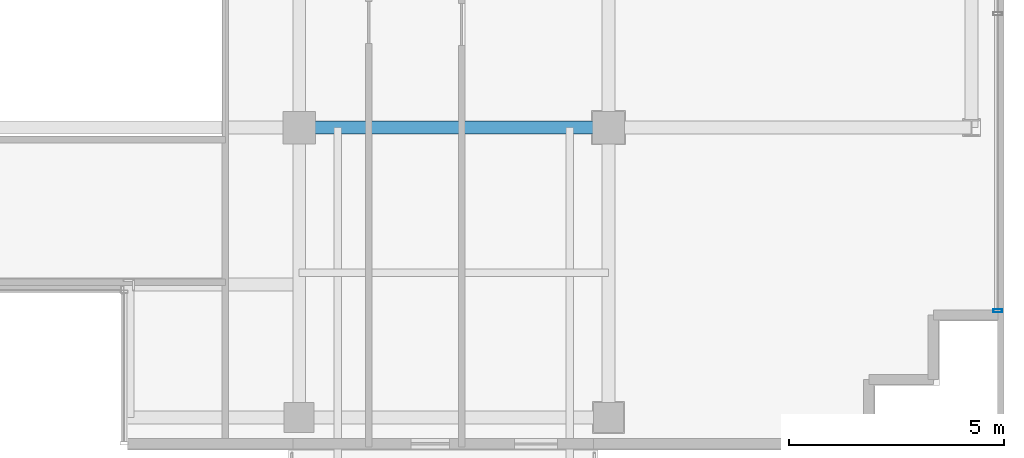
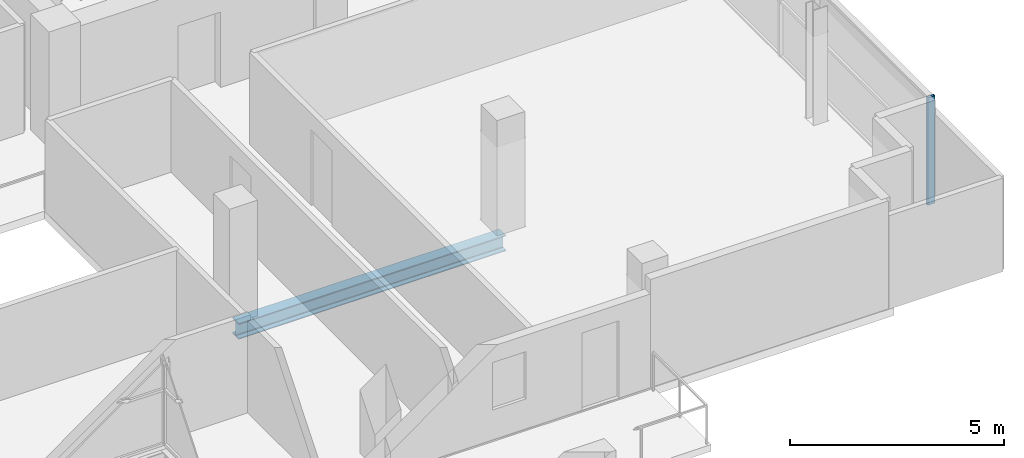
# One storey, part 7 of 24: 1 beam, 1 member, 1 element without a shape of its own.
"""IFC4 building model written with IfcOpenShell, lengths in metres."""

from ifc_helpers import new_model, si_unit, direction, frame, origin, origin_2d, place, context, subcontext, project, spatial, hollow_rectangle, i_section, extrude, source, transform, mapped, material, layer, layer_set, material_profile, profile_set, type_object, element, aggregate, save


model = new_model("IFC4")

# Units and contexts
model_context = context("Model", 3, precision=1e-05, world=origin(), true_north=direction((0.0, 1.0)))
body_context = subcontext(model_context, "Body", "Model", "MODEL_VIEW")
ifc_project = project(units=[si_unit("LENGTHUNIT", "METRE"), si_unit("AREAUNIT", "SQUARE_METRE"), si_unit("VOLUMEUNIT", "CUBIC_METRE"), si_unit("PLANEANGLEUNIT", "RADIAN"), si_unit("MASSUNIT", "GRAM", prefix="KILO")], contexts=[model_context])

# Site, building, storey
site_placement = place(None, origin())
site = spatial("IfcSite", under=ifc_project, at=site_placement, CompositionType="ELEMENT")
building_placement = place(site_placement, origin())
building = spatial("IfcBuilding", under=site, at=building_placement, Name="Zarnakvel Exchange Tower", CompositionType="ELEMENT")
storey_placement = place(building_placement, frame((0.0, 0.0, 235.300048828125)))
storey = spatial("IfcBuildingStorey", under=building, at=storey_placement, Name="L66", CompositionType="ELEMENT", Elevation=235.300048828125)

# Beam
ifc_material_1 = material(Name="Steel S355", Category="steel")
ifc_material_profile_1 = material_profile(ifc_material_1, i_section(OverallWidth=0.300048828125, OverallDepth=0.449951171875, WebThickness=0.013916015625, FlangeThickness=0.02587890625, FilletRadius=0.027099609375, at=origin_2d()))
ifc_profile_set_1 = profile_set([ifc_material_profile_1], Name="Steel S355")
beam_type = type_object("IfcBeamType", Name="G-07", PredefinedType="BEAM", material=ifc_profile_set_1)
beam_placement = place(storey_placement, frame((7.199951171875, -9.60009765625, -0.449951171875), z_axis=(1.0, 0.0, 0.0), x_axis=(0.0, 1.0, 0.0)))
element("IfcBeam", 1, at=beam_placement, inside=storey, type_object=beam_type, Name="L66 Tower E-W Frame Beam", PredefinedType="BEAM", context=body_context, shape_type="SweptSolid", body=[
    extrude(i_section(OverallWidth=0.300048828125, OverallDepth=0.449951171875, WebThickness=0.013916015625, FlangeThickness=0.02587890625, FilletRadius=0.027099609375, at=origin_2d()), origin(), (0.0, 0.0, 1.0), 7.199951171875),
])

# Curtain wall, member
ifc_material_2 = material(Name="Architectural Bronze Anodised Aluminium", Category="aluminium")
ifc_layer = layer(ifc_material_2, 0.199951171875)
ifc_layer_set = layer_set([ifc_layer], Name="Architectural Bronze Anodised Aluminium")
curtain_wall_type = type_object("IfcCurtainWallType", Name="CW-04", PredefinedType="NOTDEFINED", material=ifc_layer_set)
curtain_wall_placement = place(storey_placement, origin())
curtain_wall = element("IfcCurtainWall", 2, at=curtain_wall_placement, inside=storey, type_object=curtain_wall_type, Name="L66 Curtain Wall CW-L66-E1 (CW-04)", PredefinedType="NOTDEFINED")
ifc_material_profile_2 = material_profile(ifc_material_2, hollow_rectangle(XDim=0.199951171875, YDim=0.074951171875, WallThickness=0.0048828125, at=origin_2d()))
ifc_profile_set_2 = profile_set([ifc_material_profile_2], Name="Architectural Bronze Anodised Aluminium")
member_type = type_object("IfcMemberType", Name="CWM-04", PredefinedType="MULLION", material=ifc_profile_set_2)
shared_shape = source(origin(), body_context, "Body", "SweptSolid", [
    extrude(hollow_rectangle(XDim=0.199951171875, YDim=0.074951171875, WallThickness=0.0048828125, at=origin_2d()), origin(), (0.0, 0.0, 1.0), 3.054931640625),
])
member_placement = place(storey_placement, frame((23.4599609375, -13.862548828125, 0.0), z_axis=(0.0, 0.0, 1.0), x_axis=(-1.0, 0.0, 0.0)))
member = element("IfcMember", 3, at=member_placement, type_object=member_type, Name="CW-04 mullion 1", PredefinedType="MULLION", context=body_context, shape_type="MappedRepresentation", body=[
    mapped(shared_shape, transform((0.0, 0.0, 0.0), x_axis=(1.0, 0.0, 0.0), y_axis=(0.0, 1.0, 0.0), z_axis=(0.0, 0.0, 1.0), scale=1.0)),
])
aggregate(curtain_wall, [member])

save(model, "model.ifc")
